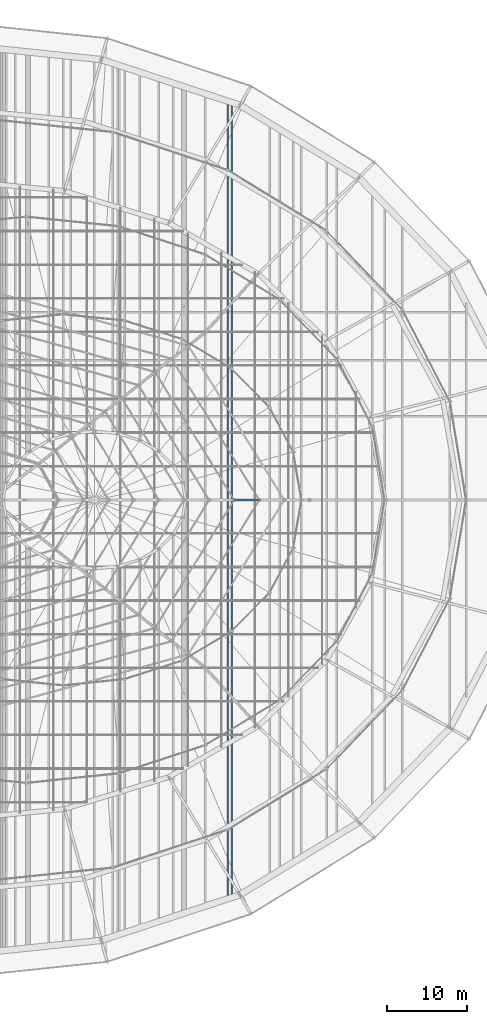
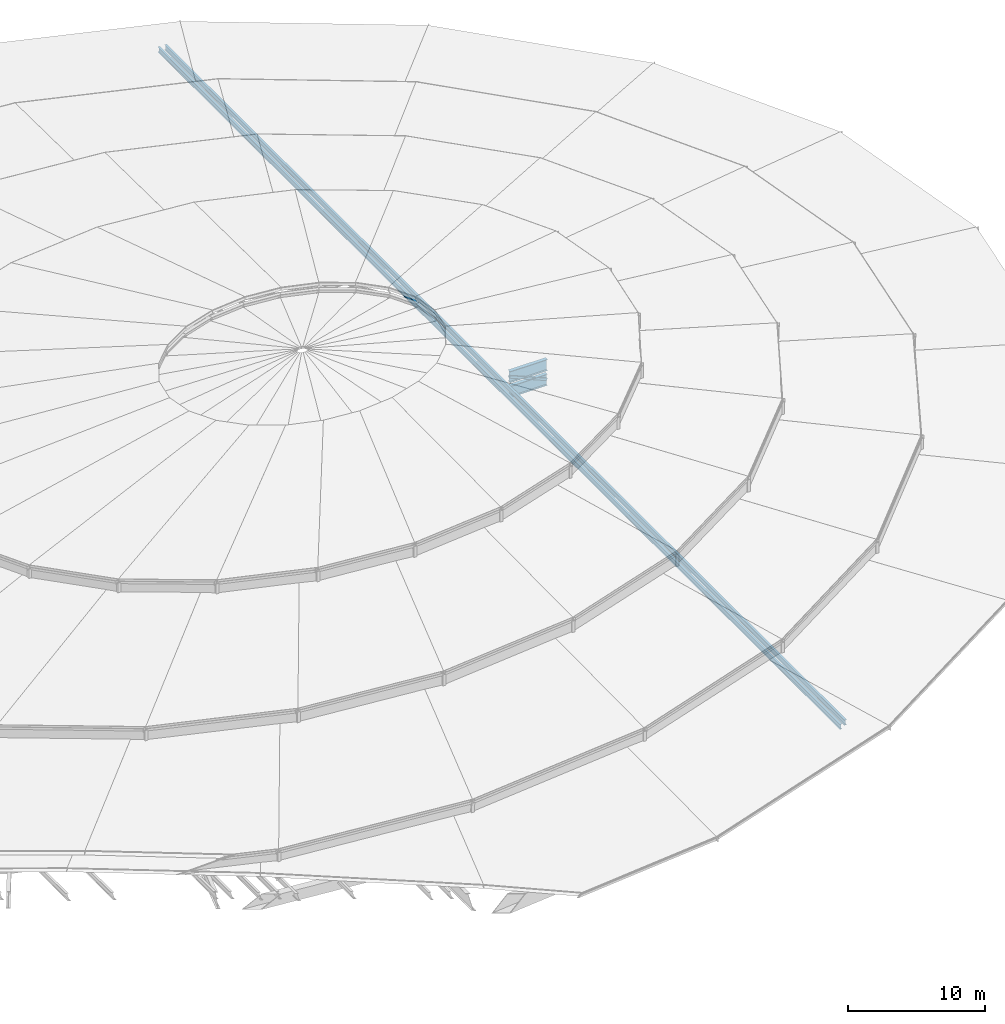
# One storey, part 88 of 184: 3 members, 2 beams.
"""IFC4 building model written with IfcOpenShell, lengths in metres."""

from ifc_helpers import new_model, si_unit, direction, frame, origin, origin_2d, place, context, subcontext, project, spatial, hollow_rectangle, i_section, extrude, material, material_profile, profile_set, type_object, element, save


model = new_model("IFC4")

# Units and contexts
model_context = context("Model", 3, precision=1e-05, world=origin(), true_north=direction((0.0, 1.0)))
body_context = subcontext(model_context, "Body", "Model", "MODEL_VIEW")
ifc_project = project(units=[si_unit("LENGTHUNIT", "METRE"), si_unit("AREAUNIT", "SQUARE_METRE"), si_unit("VOLUMEUNIT", "CUBIC_METRE"), si_unit("PLANEANGLEUNIT", "RADIAN"), si_unit("MASSUNIT", "GRAM", prefix="KILO")], contexts=[model_context])

# Site, building, storey
site_placement = place(None, origin())
site = spatial("IfcSite", under=ifc_project, at=site_placement, CompositionType="ELEMENT")
building_placement = place(site_placement, origin())
building = spatial("IfcBuilding", under=site, at=building_placement, Name="Kalgoora Escarpment Arena", CompositionType="ELEMENT")
storey_placement = place(building_placement, frame((0.0, 0.0, 27.60009765625)))
storey = spatial("IfcBuildingStorey", under=building, at=storey_placement, Name="Roof Level", CompositionType="ELEMENT", Elevation=27.60009765625)

# Beams
ifc_material_1 = material(Name="Structural steel Grade 350 (350 MPa)", Category="steel")
ifc_material_profile_1 = material_profile(ifc_material_1, i_section(OverallWidth=0.300048828125, OverallDepth=1.010009765625, WebThickness=0.01611328125, FlangeThickness=0.030029296875, at=origin_2d()))
ifc_profile_set_1 = profile_set([ifc_material_profile_1], Name="Structural steel Grade 350 (350 MPa)")
beam_type = type_object("IfcBeamType", Name="BM-TRUSS-CHORD", PredefinedType="USERDEFINED", material=ifc_profile_set_1)
for number, where, z_axis, x_axis, name in (
    (1, (130.73193359375, 64.0, -1.64013671875), (-0.999998687, 0.0, 0.001620493281), (0.0, -1.0, 0.0), "Radial ROOF TRUSS spine 1 bottom chord 4"),
    (2, (130.73193359375, 64.0, -0.330078125), (-0.999994995145, 0.0, 0.003163808535), (0.0, -1.0, 0.0), "Radial ROOF TRUSS spine 1 top chord 4"),
):
    element("IfcBeam", number, at=place(storey_placement, frame(where, z_axis=z_axis, x_axis=x_axis)), inside=storey, type_object=beam_type, Name=name, ObjectType="GIRDER", PredefinedType="USERDEFINED", context=body_context, shape_type="SweptSolid", body=[
        extrude(i_section(OverallWidth=0.300048828125, OverallDepth=1.010009765625, WebThickness=0.01611328125, FlangeThickness=0.030029296875, at=origin_2d()), origin(), (0.0, 0.0, 1.0), 3.163818359375),
    ])

# Members
ifc_material_2 = material(Name="Structural steel AS/NZS 3679 (300 MPa)", Category="steel")
ifc_material_profile_2 = material_profile(ifc_material_2, i_section(OverallWidth=0.19091796875, OverallDepth=0.4599609375, WebThickness=0.010009765625, FlangeThickness=0.01611328125, at=origin_2d()))
ifc_profile_set_2 = profile_set([ifc_material_profile_2], Name="Structural steel AS/NZS 3679 (300 MPa)")
member_type_1 = type_object("IfcMemberType", Name="MEM-CARRIER-CHORD", PredefinedType="CHORD", material=ifc_profile_set_2)
member_1_placement = place(storey_placement, frame((126.800048828125, 14.143310546875, -1.080078125), z_axis=(0.0, 1.0, 0.0), x_axis=(-1.0, 0.0, 0.0)))
element("IfcMember", 3, at=member_1_placement, inside=storey, type_object=member_type_1, Name="Petal RP2 spanning carrier chord C05", PredefinedType="CHORD", context=body_context, shape_type="SweptSolid", body=[
    extrude(i_section(OverallWidth=0.19091796875, OverallDepth=0.4599609375, WebThickness=0.010009765625, FlangeThickness=0.01611328125, at=origin_2d()), origin(), (0.0, 0.0, 1.0), 99.71337890625),
])
member_2_placement = place(storey_placement, frame((127.271728515625, 14.298583984375, -0.960205078125), z_axis=(0.0, 1.0, 0.0), x_axis=(-1.0, 0.0, 0.0)))
element("IfcMember", 4, at=member_2_placement, inside=storey, type_object=member_type_1, Name="Petal RP4 spanning carrier chord C04", PredefinedType="CHORD", context=body_context, shape_type="SweptSolid", body=[
    extrude(i_section(OverallWidth=0.19091796875, OverallDepth=0.4599609375, WebThickness=0.010009765625, FlangeThickness=0.01611328125, at=origin_2d()), origin(), (0.0, 0.0, 1.0), 99.40283203125),
])
ifc_material_3 = material(Name="Structural steel C350 (350 MPa)", Category="steel")
ifc_material_profile_3 = material_profile(ifc_material_3, hollow_rectangle(XDim=0.199951171875, YDim=0.199951171875, WallThickness=0.009033203125, at=origin_2d()))
ifc_profile_set_3 = profile_set([ifc_material_profile_3], Name="Structural steel C350 (350 MPa)")
member_type_2 = type_object("IfcMemberType", Name="MEM-TRUSS-DIAG", PredefinedType="BRACE", material=ifc_profile_set_3)
member_3_placement = place(storey_placement, frame((130.719970703125, 64.0, -1.64013671875), z_axis=(-0.92184437096, 0.0, 0.387560260771), x_axis=(0.0, 1.0, 0.0)))
element("IfcMember", 5, at=member_3_placement, inside=storey, type_object=member_type_2, Name="Radial ROOF TRUSS spine 1 web diagonal 4", PredefinedType="BRACE", context=body_context, shape_type="SweptSolid", body=[
    extrude(hollow_rectangle(XDim=0.199951171875, YDim=0.199951171875, WallThickness=0.009033203125, at=origin_2d()), origin(), (0.0, 0.0, 1.0), 3.406005859375),
])

save(model, "model.ifc")
